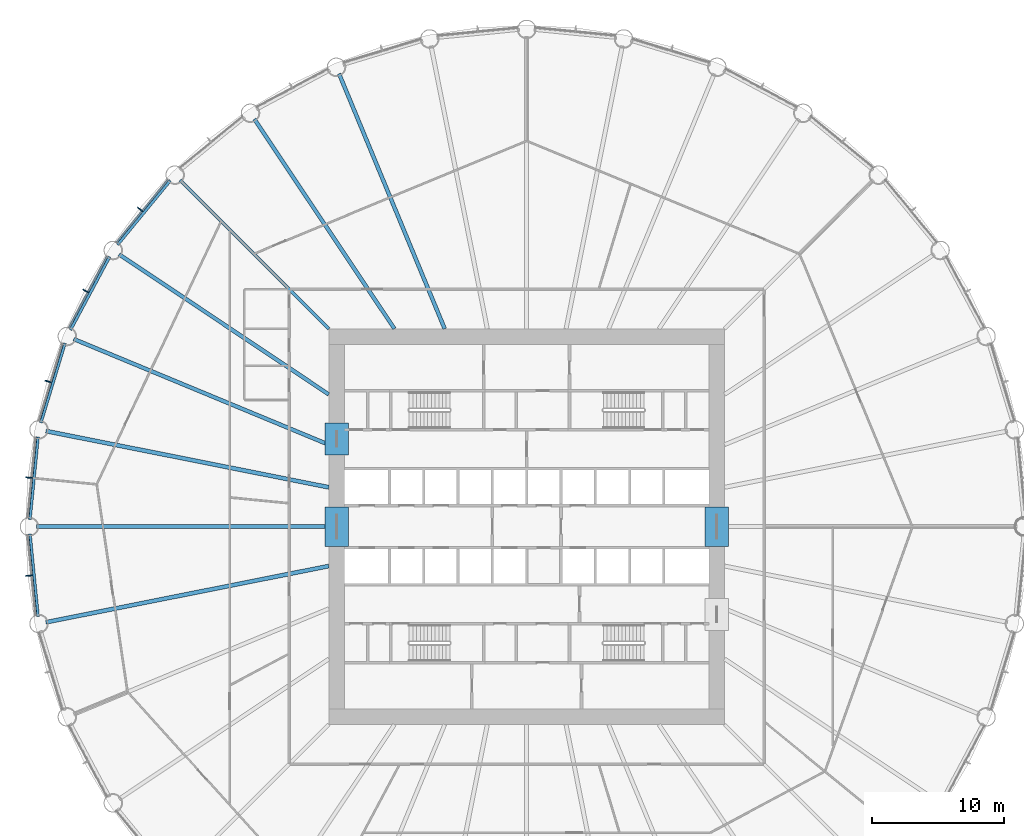
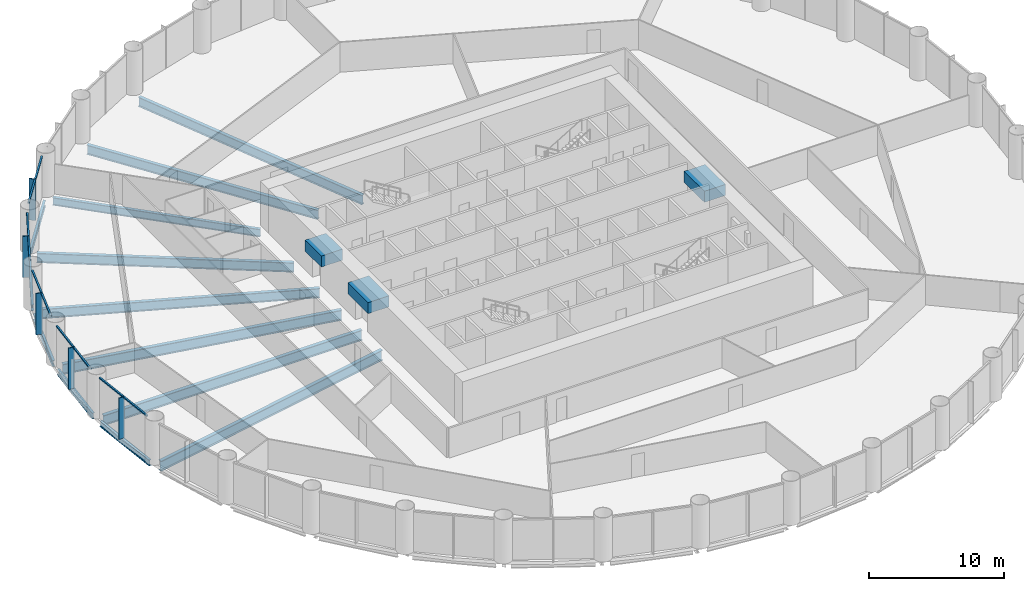
# One storey, part 4 of 15: 16 beams, 15 members, 5 elements without a shape of their own.
"""IFC4 building model written with IfcOpenShell, lengths in metres."""

from ifc_helpers import new_model, si_unit, direction, frame, origin, origin_2d, place, context, subcontext, project, spatial, rectangle, i_section, extrude, material, material_profile, profile_set, type_object, element, aggregate, save


model = new_model("IFC4")

# Units and contexts
model_context = context("Model", 3, precision=1e-05, world=origin(), true_north=direction((0.0, 1.0)))
body_context = subcontext(model_context, "Body", "Model", "MODEL_VIEW")
ifc_project = project(units=[si_unit("LENGTHUNIT", "METRE"), si_unit("AREAUNIT", "SQUARE_METRE"), si_unit("VOLUMEUNIT", "CUBIC_METRE"), si_unit("PLANEANGLEUNIT", "RADIAN"), si_unit("MASSUNIT", "GRAM", prefix="KILO")], contexts=[model_context])

# Site, building, storey
site_placement = place(None, origin())
site = spatial("IfcSite", under=ifc_project, at=site_placement, CompositionType="ELEMENT")
building_placement = place(site_placement, origin())
building = spatial("IfcBuilding", under=site, at=building_placement, Name="Corvane Civic Tower", CompositionType="ELEMENT")
storey_placement = place(building_placement, frame((0.0, 0.0, 57.0)))
storey = spatial("IfcBuildingStorey", under=building, at=storey_placement, Name="L12", CompositionType="ELEMENT", Elevation=57.0)

# Beams
ifc_material_1 = material(Name="Concrete C80/95", Category="concrete")
ifc_material_profile_1 = material_profile(ifc_material_1, rectangle(XDim=1.800048828125, YDim=1.0, at=origin_2d()), Name="COUPLING BEAM 1800X1000")
ifc_profile_set_1 = profile_set([ifc_material_profile_1], Name="Concrete C80/95")
beam_type_1 = type_object("IfcBeamType", Name="COUPLING BEAM COUPLING BEAM 1800X1000", PredefinedType="BEAM", material=ifc_profile_set_1)
for number, where, z_axis, x_axis, name in (
    (1, (-14.39990234375, -1.5, 2.60009765625), (0.0, 1.0, 0.0), (-1.0, 0.0, 0.0), "BM-L12-cpl-CW-LW"),
    (2, (14.39990234375, -1.5, 2.60009765625), (0.0, 1.0, 0.0), (-1.0, 0.0, 0.0), "BM-L12-cpl-CW-LE"),
):
    element("IfcBeam", number, at=place(storey_placement, frame(where, z_axis=z_axis, x_axis=x_axis)), inside=storey, type_object=beam_type_1, Name=name, PredefinedType="BEAM", context=body_context, shape_type="SweptSolid", body=[
        extrude(rectangle(XDim=1.800048828125, YDim=1.0, at=origin_2d()), origin(), (0.0, 0.0, 1.0), 3.0),
    ])
beam_1_placement = place(storey_placement, frame((-14.39990234375, 5.449951171875, 2.60009765625), z_axis=(0.0, 1.0, 0.0), x_axis=(-1.0, 0.0, 0.0)))
element("IfcBeam", 3, at=beam_1_placement, inside=storey, type_object=beam_type_1, Name="BM-L12-cpl-CW-WN", PredefinedType="BEAM", context=body_context, shape_type="SweptSolid", body=[
    extrude(rectangle(XDim=1.800048828125, YDim=1.0, at=origin_2d()), origin(), (0.0, 0.0, 1.0), 2.400146484375),
])
ifc_material_2 = material(Name="Steel ASTM A992 Gr 50", Category="steel")
ifc_material_profile_2 = material_profile(ifc_material_2, i_section(OverallWidth=0.209228515625, OverallDepth=0.533447265625, WebThickness=0.01025390625, FlangeThickness=0.015625, at=origin_2d()), Name="W21X62")
ifc_profile_set_2 = profile_set([ifc_material_profile_2], Name="Steel ASTM A992 Gr 50")
beam_type_2 = type_object("IfcBeamType", Name="EDGE BEAM W21X62", PredefinedType="BEAM", material=ifc_profile_set_2)
for number, where, z_axis, x_axis, name in (
    (4, (-37.029541015625, -6.8076171875, -0.566650390625), (-0.097997284622, 0.995186682089, 0.0), (-0.995186682089, -0.097997284622, 0.0), "BM-L12-E24"),
    (5, (-37.64599609375, 0.54736328125, -0.566650390625), (0.097997284622, 0.995186682089, 0.0), (-0.995186682089, 0.097997284622, 0.0), "BM-L12-E25"),
):
    element("IfcBeam", number, at=place(storey_placement, frame(where, z_axis=z_axis, x_axis=x_axis)), inside=storey, type_object=beam_type_2, Name=name, PredefinedType="BEAM", context=body_context, shape_type="SweptSolid", body=[
        extrude(i_section(OverallWidth=0.209228515625, OverallDepth=0.533447265625, WebThickness=0.01025390625, FlangeThickness=0.015625, at=origin_2d()), origin(), (0.0, 0.0, 1.0), 6.29052734375),
    ])
for number, where, z_axis, x_axis, name in (
    (6, (-36.81591796875, 7.88134765625, -0.566650390625), (0.290273452184, 0.956943740748, 0.0), (-0.956943740748, 0.290273452184, 0.0), "BM-L12-E26"),
    (7, (-34.571044921875, 14.912353515625, -0.566650390625), (0.471405897311, 0.881916367906, 0.0), (-0.881916367906, 0.471405897311, 0.0), "BM-L12-E27"),
):
    element("IfcBeam", number, at=place(storey_placement, frame(where, z_axis=z_axis, x_axis=x_axis)), inside=storey, type_object=beam_type_2, Name=name, PredefinedType="BEAM", context=body_context, shape_type="SweptSolid", body=[
        extrude(i_section(OverallWidth=0.209228515625, OverallDepth=0.533447265625, WebThickness=0.01025390625, FlangeThickness=0.015625, at=origin_2d()), origin(), (0.0, 0.0, 1.0), 6.290283203125),
    ])
beam_2_placement = place(storey_placement, frame((-30.99755859375, 21.3701171875, -0.566650390625), z_axis=(0.634386787141, 0.773015785286, 0.0), x_axis=(-0.773015785286, 0.634386787141, 0.0)))
element("IfcBeam", 8, at=beam_2_placement, inside=storey, type_object=beam_type_2, Name="BM-L12-E28", PredefinedType="BEAM", context=body_context, shape_type="SweptSolid", body=[
    extrude(i_section(OverallWidth=0.209228515625, OverallDepth=0.533447265625, WebThickness=0.01025390625, FlangeThickness=0.015625, at=origin_2d()), origin(), (0.0, 0.0, 1.0), 6.290771484375),
])
ifc_material_3 = material(Name="Steel ASTM A992 Gr 50", Category="steel")
ifc_material_profile_3 = material_profile(ifc_material_3, i_section(OverallWidth=0.256591796875, OverallDepth=0.693359375, WebThickness=0.014404296875, FlangeThickness=0.023681640625, at=origin_2d()), Name="W27X114")
ifc_profile_set_3 = profile_set([ifc_material_profile_3], Name="Steel ASTM A992 Gr 50")
beam_type_3 = type_object("IfcBeamType", Name="FLOOR GIRDER W27X114", PredefinedType="BEAM", material=ifc_profile_set_3)
beam_3_placement = place(storey_placement, frame((-15.0, 15.0, -0.646728515625), z_axis=(-0.707106781187, 0.707106781187, 0.0), x_axis=(-0.707106781187, -0.707106781187, 0.0)))
element("IfcBeam", 9, at=beam_3_placement, inside=storey, type_object=beam_type_3, Name="BM-L12-G29", PredefinedType="BEAM", context=body_context, shape_type="SweptSolid", body=[
    extrude(i_section(OverallWidth=0.256591796875, OverallDepth=0.693359375, WebThickness=0.014404296875, FlangeThickness=0.023681640625, at=origin_2d()), origin(), (0.0, 0.0, 1.0), 15.936767578125),
])
ifc_material_4 = material(Name="Steel ASTM A992 Gr 50", Category="steel")
ifc_material_profile_4 = material_profile(ifc_material_4, i_section(OverallWidth=0.2919921875, OverallDepth=0.8583984375, WebThickness=0.01708984375, FlangeThickness=0.031005859375, at=origin_2d()), Name="W33X169")
ifc_profile_set_4 = profile_set([ifc_material_profile_4], Name="Steel ASTM A992 Gr 50")
beam_type_4 = type_object("IfcBeamType", Name="FLOOR GIRDER W33X169", PredefinedType="BEAM", material=ifc_profile_set_4)
beam_4_placement = place(storey_placement, frame((-15.0, 6.213134765625, -0.729248046875), z_axis=(-0.923875834355, 0.382692360381, 0.0), x_axis=(-0.382692360381, -0.923875834355, 0.0)))
element("IfcBeam", 10, at=beam_4_placement, inside=storey, type_object=beam_type_4, Name="BM-L12-G27", PredefinedType="BEAM", context=body_context, shape_type="SweptSolid", body=[
    extrude(i_section(OverallWidth=0.2919921875, OverallDepth=0.8583984375, WebThickness=0.01708984375, FlangeThickness=0.031005859375, at=origin_2d()), origin(), (0.0, 0.0, 1.0), 20.9140625),
])
for number, where, z_axis, x_axis, name in (
    (11, (-15.0, 10.022705078125, -0.729248046875), (-0.831471985418, 0.555566681385, 0.0), (-0.555566681385, -0.831471985418, 0.0), "BM-L12-G28"),
    (12, (-10.022705078125, 15.0, -0.729248046875), (-0.555566681385, 0.831471985418, 0.0), (-0.831471985418, -0.555566681385, 0.0), "BM-L12-G30"),
):
    element("IfcBeam", number, at=place(storey_placement, frame(where, z_axis=z_axis, x_axis=x_axis)), inside=storey, type_object=beam_type_4, Name=name, PredefinedType="BEAM", context=body_context, shape_type="SweptSolid", body=[
        extrude(i_section(OverallWidth=0.2919921875, OverallDepth=0.8583984375, WebThickness=0.01708984375, FlangeThickness=0.031005859375, at=origin_2d()), origin(), (0.0, 0.0, 1.0), 19.109619140625),
    ])
beam_5_placement = place(storey_placement, frame((-6.213134765625, 15.0, -0.729248046875), z_axis=(-0.382692360381, 0.923875834355, 0.0), x_axis=(-0.923875834355, -0.382692360381, 0.0)))
element("IfcBeam", 13, at=beam_5_placement, inside=storey, type_object=beam_type_4, Name="BM-L12-G31", PredefinedType="BEAM", context=body_context, shape_type="SweptSolid", body=[
    extrude(i_section(OverallWidth=0.2919921875, OverallDepth=0.8583984375, WebThickness=0.01708984375, FlangeThickness=0.031005859375, at=origin_2d()), origin(), (0.0, 0.0, 1.0), 20.9140625),
])
ifc_material_5 = material(Name="Steel ASTM A992 Gr 50", Category="steel")
ifc_material_profile_5 = material_profile(ifc_material_5, i_section(OverallWidth=0.307373046875, OverallDepth=0.927001953125, WebThickness=0.01953125, FlangeThickness=0.031982421875, at=origin_2d()), Name="W36X194")
ifc_profile_set_5 = profile_set([ifc_material_profile_5], Name="Steel ASTM A992 Gr 50")
beam_type_5 = type_object("IfcBeamType", Name="FLOOR GIRDER W36X194", PredefinedType="BEAM", material=ifc_profile_set_5)
beam_6_placement = place(storey_placement, frame((-15.0, -2.983642578125, -0.763671875), z_axis=(-0.980785499679, -0.195089219638, 0.0), x_axis=(0.195089219638, -0.980785499679, 0.0)))
element("IfcBeam", 14, at=beam_6_placement, inside=storey, type_object=beam_type_5, Name="BM-L12-G24", PredefinedType="BEAM", context=body_context, shape_type="SweptSolid", body=[
    extrude(i_section(OverallWidth=0.307373046875, OverallDepth=0.927001953125, WebThickness=0.01953125, FlangeThickness=0.031982421875, at=origin_2d()), origin(), (0.0, 0.0, 1.0), 21.856201171875),
])
beam_7_placement = place(storey_placement, frame((-15.0, 0.0, -0.763671875), z_axis=(-1.0, 0.0, 0.0), x_axis=(0.0, -1.0, 0.0)))
element("IfcBeam", 15, at=beam_7_placement, inside=storey, type_object=beam_type_5, Name="BM-L12-G25", PredefinedType="BEAM", context=body_context, shape_type="SweptSolid", body=[
    extrude(i_section(OverallWidth=0.307373046875, OverallDepth=0.927001953125, WebThickness=0.01953125, FlangeThickness=0.031982421875, at=origin_2d()), origin(), (0.0, 0.0, 1.0), 22.14990234375),
])
beam_8_placement = place(storey_placement, frame((-15.0, 2.983642578125, -0.763671875), z_axis=(-0.980785499679, 0.195089219638, 0.0), x_axis=(-0.195089219638, -0.980785499679, 0.0)))
element("IfcBeam", 16, at=beam_8_placement, inside=storey, type_object=beam_type_5, Name="BM-L12-G26", PredefinedType="BEAM", context=body_context, shape_type="SweptSolid", body=[
    extrude(i_section(OverallWidth=0.307373046875, OverallDepth=0.927001953125, WebThickness=0.01953125, FlangeThickness=0.031982421875, at=origin_2d()), origin(), (0.0, 0.0, 1.0), 21.856201171875),
])

# Curtain wall, members
ifc_material_6 = material(Name="Anodised aluminium bronze", Category="aluminium")
curtain_wall_type = type_object("IfcCurtainWallType", Name="TOWER CW-T1 STICK CURTAIN WALL", PredefinedType="NOTDEFINED", material=ifc_material_6)
curtain_wall_1_placement = place(storey_placement, origin())
curtain_wall_1 = element("IfcCurtainWall", 17, at=curtain_wall_1_placement, inside=storey, type_object=curtain_wall_type, Name="Curtain wall CW-T1 L12 bay 24", PredefinedType="NOTDEFINED")
ifc_material_7 = material(Name="Anodised aluminium bronze", Category="aluminium")
ifc_material_profile_6 = material_profile(ifc_material_7, rectangle(XDim=0.139892578125, YDim=0.1201171875, at=origin_2d()), Name="TOWER CW-T1 TRANSOM 140x120")
ifc_profile_set_6 = profile_set([ifc_material_profile_6], Name="Anodised aluminium bronze")
member_type_1 = type_object("IfcMemberType", Name="TOWER CW-T1 TRANSOM 140x120", PredefinedType="USERDEFINED", material=ifc_profile_set_6)
member_1_placement = place(storey_placement, frame((-37.21728515625, -6.72900390625, 3.68994140625), z_axis=(-0.097944923917, 0.995191836722, 0.0), x_axis=(-0.995191836722, -0.097944923917, 0.0)))
member_1 = element("IfcMember", 18, at=member_1_placement, type_object=member_type_1, Name="Transom CW-T1 L12 24.1", ObjectType="TRANSOM", PredefinedType="USERDEFINED", context=body_context, shape_type="SweptSolid", body=[
    extrude(rectangle(XDim=0.139892578125, YDim=0.1201171875, at=origin_2d()), origin(), (0.0, 0.0, 1.0), 3.008544921875),
])
member_2_placement = place(storey_placement, frame((-37.52001953125, -3.6552734375, 3.68994140625), z_axis=(-0.097944923917, 0.995191836722, 0.0), x_axis=(-0.995191836722, -0.097944923917, 0.0)))
member_2 = element("IfcMember", 19, at=member_2_placement, type_object=member_type_1, Name="Transom CW-T1 L12 24.2", ObjectType="TRANSOM", PredefinedType="USERDEFINED", context=body_context, shape_type="SweptSolid", body=[
    extrude(rectangle(XDim=0.139892578125, YDim=0.1201171875, at=origin_2d()), origin(), (0.0, 0.0, 1.0), 3.008544921875),
])

curtain_wall_2_placement = place(storey_placement, origin())
curtain_wall_2 = element("IfcCurtainWall", 20, at=curtain_wall_2_placement, inside=storey, type_object=curtain_wall_type, Name="Curtain wall CW-T1 L12 bay 25", PredefinedType="NOTDEFINED")
member_3_placement = place(storey_placement, frame((-37.814697265625, 0.6611328125, 3.68994140625), z_axis=(0.097944923917, 0.995191836722, 0.0), x_axis=(-0.995191836722, 0.097944923917, 0.0)))
member_3 = element("IfcMember", 21, at=member_3_placement, type_object=member_type_1, Name="Transom CW-T1 L12 25.1", ObjectType="TRANSOM", PredefinedType="USERDEFINED", context=body_context, shape_type="SweptSolid", body=[
    extrude(rectangle(XDim=0.139892578125, YDim=0.1201171875, at=origin_2d()), origin(), (0.0, 0.0, 1.0), 3.008544921875),
])
member_4_placement = place(storey_placement, frame((-37.511962890625, 3.73486328125, 3.68994140625), z_axis=(0.097944923917, 0.995191836722, 0.0), x_axis=(-0.995191836722, 0.097944923917, 0.0)))
member_4 = element("IfcMember", 22, at=member_4_placement, type_object=member_type_1, Name="Transom CW-T1 L12 25.2", ObjectType="TRANSOM", PredefinedType="USERDEFINED", context=body_context, shape_type="SweptSolid", body=[
    extrude(rectangle(XDim=0.139892578125, YDim=0.1201171875, at=origin_2d()), origin(), (0.0, 0.0, 1.0), 3.008544921875),
])

curtain_wall_3_placement = place(storey_placement, origin())
curtain_wall_3 = element("IfcCurtainWall", 23, at=curtain_wall_3_placement, inside=storey, type_object=curtain_wall_type, Name="Curtain wall CW-T1 L12 bay 26", PredefinedType="NOTDEFINED")
member_5_placement = place(storey_placement, frame((-36.959228515625, 8.02587890625, 3.68994140625), z_axis=(0.290279914268, 0.956941780555, 0.0), x_axis=(-0.956941780555, 0.290279914268, 0.0)))
member_5 = element("IfcMember", 24, at=member_5_placement, type_object=member_type_1, Name="Transom CW-T1 L12 26.1", ObjectType="TRANSOM", PredefinedType="USERDEFINED", context=body_context, shape_type="SweptSolid", body=[
    extrude(rectangle(XDim=0.139892578125, YDim=0.1201171875, at=origin_2d()), origin(), (0.0, 0.0, 1.0), 3.008544921875),
])
member_6_placement = place(storey_placement, frame((-36.062744140625, 10.9814453125, 3.68994140625), z_axis=(0.290279914268, 0.956941780555, 0.0), x_axis=(-0.956941780555, 0.290279914268, 0.0)))
member_6 = element("IfcMember", 25, at=member_6_placement, type_object=member_type_1, Name="Transom CW-T1 L12 26.2", ObjectType="TRANSOM", PredefinedType="USERDEFINED", context=body_context, shape_type="SweptSolid", body=[
    extrude(rectangle(XDim=0.139892578125, YDim=0.1201171875, at=origin_2d()), origin(), (0.0, 0.0, 1.0), 3.008544921875),
])

curtain_wall_4_placement = place(storey_placement, origin())
curtain_wall_4 = element("IfcCurtainWall", 26, at=curtain_wall_4_placement, inside=storey, type_object=curtain_wall_type, Name="Curtain wall CW-T1 L12 bay 27", PredefinedType="NOTDEFINED")
member_7_placement = place(storey_placement, frame((-34.683349609375, 15.08203125, 3.68994140625), z_axis=(0.471392506424, 0.881923525532, 0.0), x_axis=(-0.881923525532, 0.471392506424, 0.0)))
member_7 = element("IfcMember", 27, at=member_7_placement, type_object=member_type_1, Name="Transom CW-T1 L12 27.1", ObjectType="TRANSOM", PredefinedType="USERDEFINED", context=body_context, shape_type="SweptSolid", body=[
    extrude(rectangle(XDim=0.139892578125, YDim=0.1201171875, at=origin_2d()), origin(), (0.0, 0.0, 1.0), 3.008544921875),
])
member_8_placement = place(storey_placement, frame((-33.2275390625, 17.805908203125, 3.68994140625), z_axis=(0.471392506424, 0.881923525532, 0.0), x_axis=(-0.881923525532, 0.471392506424, 0.0)))
member_8 = element("IfcMember", 28, at=member_8_placement, type_object=member_type_1, Name="Transom CW-T1 L12 27.2", ObjectType="TRANSOM", PredefinedType="USERDEFINED", context=body_context, shape_type="SweptSolid", body=[
    extrude(rectangle(XDim=0.139892578125, YDim=0.1201171875, at=origin_2d()), origin(), (0.0, 0.0, 1.0), 3.008544921875),
])

curtain_wall_5_placement = place(storey_placement, origin())
curtain_wall_5 = element("IfcCurtainWall", 29, at=curtain_wall_5_placement, inside=storey, type_object=curtain_wall_type, Name="Curtain wall CW-T1 L12 bay 28", PredefinedType="NOTDEFINED")
member_9_placement = place(storey_placement, frame((-31.074462890625, 21.55859375, 3.68994140625), z_axis=(0.634355161466, 0.773041738279, 0.0), x_axis=(-0.773041738279, 0.634355161466, 0.0)))
member_9 = element("IfcMember", 30, at=member_9_placement, type_object=member_type_1, Name="Transom CW-T1 L12 28.1", ObjectType="TRANSOM", PredefinedType="USERDEFINED", context=body_context, shape_type="SweptSolid", body=[
    extrude(rectangle(XDim=0.139892578125, YDim=0.1201171875, at=origin_2d()), origin(), (0.0, 0.0, 1.0), 3.008544921875),
])
member_10_placement = place(storey_placement, frame((-29.115234375, 23.946044921875, 3.68994140625), z_axis=(0.634403652865, 0.773001943873, 0.0), x_axis=(-0.773001943873, 0.634403652865, 0.0)))
member_10 = element("IfcMember", 31, at=member_10_placement, type_object=member_type_1, Name="Transom CW-T1 L12 28.2", ObjectType="TRANSOM", PredefinedType="USERDEFINED", context=body_context, shape_type="SweptSolid", body=[
    extrude(rectangle(XDim=0.139892578125, YDim=0.1201171875, at=origin_2d()), origin(), (0.0, 0.0, 1.0), 3.008544921875),
])

# Member
ifc_material_8 = material(Name="Anodised aluminium bronze", Category="aluminium")
ifc_material_profile_7 = material_profile(ifc_material_8, rectangle(XDim=0.080078125, YDim=0.5, at=origin_2d()), Name="TOWER FIN MULLION 80x500 BRONZE")
ifc_profile_set_7 = profile_set([ifc_material_profile_7], Name="Anodised aluminium bronze")
member_type_2 = type_object("IfcMemberType", Name="TOWER FIN MULLION 80x500 BRONZE", PredefinedType="MULLION", material=ifc_profile_set_7)
member_11_placement = place(storey_placement, frame((-37.715087890625, -3.714599609375, 0.0), z_axis=(0.0, 0.0, 1.0), x_axis=(-0.098006239521, 0.995185800248, 0.0)))
member_11 = element("IfcMember", 32, at=member_11_placement, type_object=member_type_2, Name="Fin mullion 24 L12", PredefinedType="MULLION", context=body_context, shape_type="SweptSolid", body=[
    extrude(rectangle(XDim=0.080078125, YDim=0.5, at=origin_2d()), origin(), (0.0, 0.0, 1.0), 3.75),
])

aggregate(curtain_wall_1, [member_11, member_1, member_2])

member_12_placement = place(storey_placement, frame((-37.715087890625, 3.714599609375, 0.0), z_axis=(0.0, 0.0, 1.0), x_axis=(0.098006239521, 0.995185800248, 0.0)))
member_12 = element("IfcMember", 33, at=member_12_placement, type_object=member_type_2, Name="Fin mullion 25 L12", PredefinedType="MULLION", context=body_context, shape_type="SweptSolid", body=[
    extrude(rectangle(XDim=0.080078125, YDim=0.5, at=origin_2d()), origin(), (0.0, 0.0, 1.0), 3.75),
])

aggregate(curtain_wall_2, [member_12, member_3, member_4])

member_13_placement = place(storey_placement, frame((-36.265625, 11.001220703125, 0.0), z_axis=(0.0, 0.0, 1.0), x_axis=(0.290278397654, 0.956942240606, 0.0)))
member_13 = element("IfcMember", 34, at=member_13_placement, type_object=member_type_2, Name="Fin mullion 26 L12", PredefinedType="MULLION", context=body_context, shape_type="SweptSolid", body=[
    extrude(rectangle(XDim=0.080078125, YDim=0.5, at=origin_2d()), origin(), (0.0, 0.0, 1.0), 3.75),
])

aggregate(curtain_wall_3, [member_13, member_5, member_6])

member_14_placement = place(storey_placement, frame((-33.422607421875, 17.86474609375, 0.0), z_axis=(0.0, 0.0, 1.0), x_axis=(0.471403725359, 0.881917528864, 0.0)))
member_14 = element("IfcMember", 35, at=member_14_placement, type_object=member_type_2, Name="Fin mullion 27 L12", PredefinedType="MULLION", context=body_context, shape_type="SweptSolid", body=[
    extrude(rectangle(XDim=0.080078125, YDim=0.5, at=origin_2d()), origin(), (0.0, 0.0, 1.0), 3.75),
])

aggregate(curtain_wall_4, [member_14, member_7, member_8])

member_15_placement = place(storey_placement, frame((-29.295166015625, 24.0419921875, 0.0), z_axis=(0.0, 0.0, 1.0), x_axis=(0.634397218569, 0.773007224463, 0.0)))
member_15 = element("IfcMember", 36, at=member_15_placement, type_object=member_type_2, Name="Fin mullion 28 L12", PredefinedType="MULLION", context=body_context, shape_type="SweptSolid", body=[
    extrude(rectangle(XDim=0.080078125, YDim=0.5, at=origin_2d()), origin(), (0.0, 0.0, 1.0), 3.75),
])

aggregate(curtain_wall_5, [member_15, member_9, member_10])

save(model, "model.ifc")
